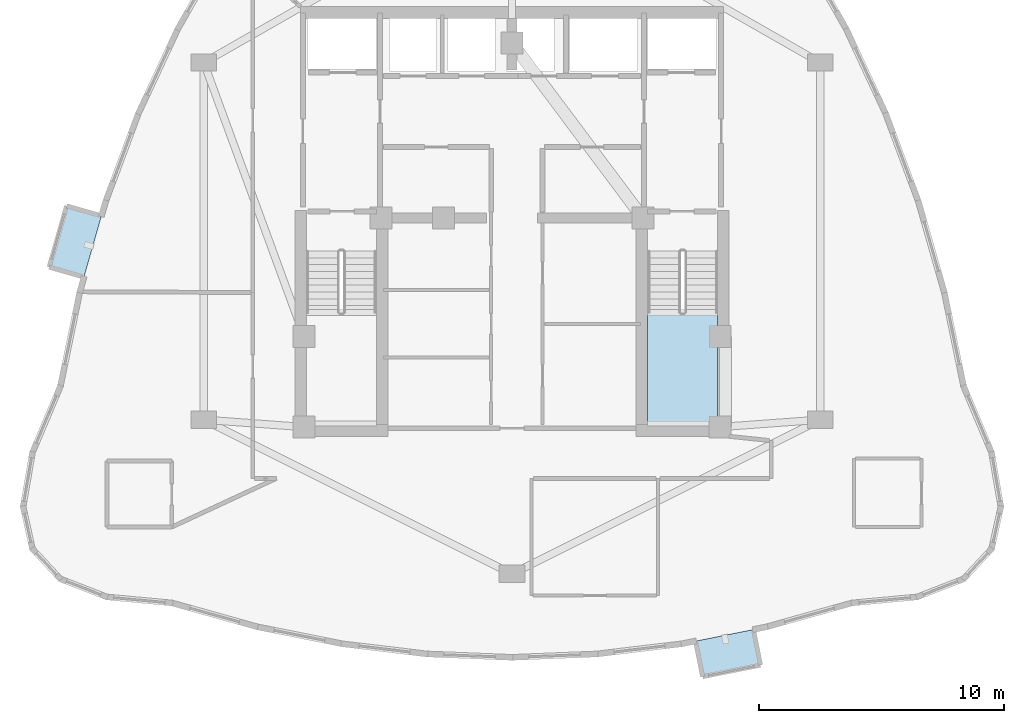
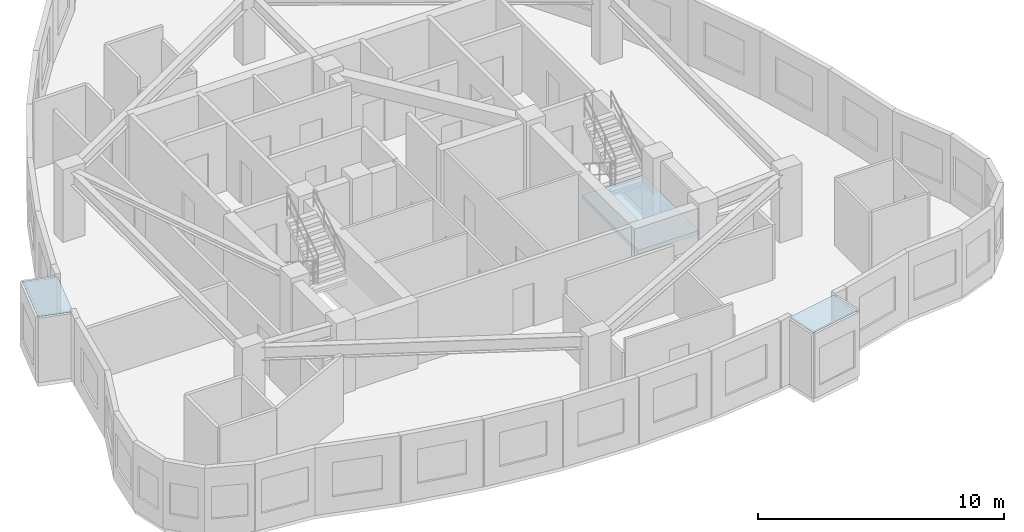
# One storey, part 3 of 10: 2 plates, 1 slab, 1 element without a shape of its own.
"""IFC4 building model written with IfcOpenShell, lengths in metres."""

import ifcopenshell
import ifcopenshell.guid

model = None  # the IFC model being written
_history = None  # IfcOwnerHistory: only IFC2X3 demands one
_inside = {}  # id of a spatial element -> (the spatial element, [elements in it])
_under = {}  # id of a project, library or spatial element -> (it, [spatial elements below it])
_declared = {}  # id of a project -> (the project, [libraries it declares])
_typed = {}  # id of a type object -> (the type object, [elements of that type])
_made_of = {}  # id of a material, layer set ... -> (it, [elements and type objects made of it])


def new_model(schema):
    """Start an empty IFC model of exactly this schema.

    Asked for "IFC4X3", IfcOpenShell would pick the latest addendum, in which some entities
    have other attributes; the version numbers below select the first issue.
    IFC2X3 requires an IfcOwnerHistory on every rooted entity: one is made here for all.
    """
    global model, _history
    if schema == "IFC4X3":
        model = ifcopenshell.file(schema_version=(4, 3, 0, 0))
    else:
        model = ifcopenshell.file(schema=schema)
    _inside.clear()
    _under.clear()
    _declared.clear()
    _typed.clear()
    _made_of.clear()
    _history = None
    if model.schema == "IFC2X3":
        org = make("IfcOrganization", Name="unknown")
        user = make(
            "IfcPersonAndOrganization",
            ThePerson=make("IfcPerson", FamilyName="unknown"),
            TheOrganization=org,
        )
        app = make(
            "IfcApplication",
            ApplicationDeveloper=org,
            Version="unknown",
            ApplicationFullName="unknown",
            ApplicationIdentifier="unknown",
        )
        _history = make(
            "IfcOwnerHistory",
            OwningUser=user,
            OwningApplication=app,
            ChangeAction="ADDED",
            CreationDate=0,
        )
    return model


def make(cls, **values):
    """One entity of the class cls with the attributes given. An attribute that is None is left unset."""
    return model.create_entity(
        cls, **{name: value for name, value in values.items() if value is not None}
    )


def rooted(cls, **values):
    """An entity with a GlobalId (a new one), such as an element, a storey or a relation."""
    return make(cls, GlobalId=ifcopenshell.guid.new(), OwnerHistory=_history, **values)


def si_unit(unit_type, name, prefix=None):
    """IfcSIUnit, for example si_unit("LENGTHUNIT", "METRE", prefix="MILLI")."""
    return make("IfcSIUnit", UnitType=unit_type, Prefix=prefix, Name=name)


def assignment(units):
    """IfcUnitAssignment: the units of a project."""
    return None if units is None else make("IfcUnitAssignment", Units=units)


def point(xyz):
    """IfcCartesianPoint."""
    return None if xyz is None else make("IfcCartesianPoint", Coordinates=xyz)


def direction(xyz):
    """IfcDirection."""
    return None if xyz is None else make("IfcDirection", DirectionRatios=xyz)


def frame(location, z_axis=None, x_axis=None):
    """IfcAxis2Placement3D, a coordinate frame: its origin and axes. An axis left out is left unset."""
    return make(
        "IfcAxis2Placement3D",
        Location=point(location),
        Axis=direction(z_axis),
        RefDirection=direction(x_axis),
    )


def origin():
    """The frame at (0, 0, 0) with its axes left unset."""
    return frame((0.0, 0.0, 0.0))


def place(relative_to, where):
    """IfcLocalPlacement: puts the frame where relative to a parent placement (None: the world)."""
    return make(
        "IfcLocalPlacement", PlacementRelTo=relative_to, RelativePlacement=where
    )


def context(
    kind, dimensions, precision=None, world=None, true_north=None, identifier=None
):
    """IfcGeometricRepresentationContext, for example the 3D "Model" context."""
    return make(
        "IfcGeometricRepresentationContext",
        ContextIdentifier=identifier,
        ContextType=kind,
        CoordinateSpaceDimension=dimensions,
        Precision=precision,
        WorldCoordinateSystem=world,
        TrueNorth=true_north,
    )


def subcontext(parent, identifier, kind, view, scale=None):
    """IfcGeometricRepresentationSubContext, for example "Body" below "Model"."""
    return make(
        "IfcGeometricRepresentationSubContext",
        ContextIdentifier=identifier,
        ContextType=kind,
        ParentContext=parent,
        TargetScale=scale,
        TargetView=view,
    )


def project(units=None, contexts=None):
    """IfcProject with its units and contexts."""
    return rooted(
        "IfcProject",
        Name="project",
        RepresentationContexts=contexts,
        UnitsInContext=assignment(units),
    )


def spatial(cls, under=None, at=None, **own):
    """A site, building, storey or space (cls), placed at a placement, below another one or the project."""
    s = rooted(cls, ObjectPlacement=at, **own)
    if under is not None:
        _under.setdefault(under.id(), (under, []))[1].append(s)
    return s


def polyline(points):
    """IfcPolyline through the points."""
    return make("IfcPolyline", Points=[point(p) for p in points])


def outline(outer, holes=None, kind="AREA"):
    """IfcArbitraryClosedProfileDef: a profile drawn as a closed curve; with holes, ...WithVoids."""
    if holes is None:
        return make("IfcArbitraryClosedProfileDef", ProfileType=kind, OuterCurve=outer)
    return make(
        "IfcArbitraryProfileDefWithVoids",
        ProfileType=kind,
        OuterCurve=outer,
        InnerCurves=holes,
    )


def extrude(swept, where, along, depth):
    """IfcExtrudedAreaSolid: the profile swept, set in the frame where, extruded along a direction by depth."""
    return make(
        "IfcExtrudedAreaSolid",
        SweptArea=swept,
        Position=where,
        ExtrudedDirection=direction(along),
        Depth=depth,
    )


def shape(context_of_items, identifier, shape_type, items):
    """IfcShapeRepresentation: the items that make up one representation, for example the "Body"."""
    return make(
        "IfcShapeRepresentation",
        ContextOfItems=context_of_items,
        RepresentationIdentifier=identifier,
        RepresentationType=shape_type,
        Items=items,
    )


def material(Name=None, Category=None):
    """IfcMaterial."""
    return make("IfcMaterial", Name=Name, Category=Category)


def layer(
    of_material, thickness, ventilated=None, Name=None, Category=None, Priority=None
):
    """IfcMaterialLayer: one layer of a wall or slab, of a material (None: an air gap)."""
    return make(
        "IfcMaterialLayer",
        Material=of_material,
        LayerThickness=thickness,
        IsVentilated=ventilated,
        Name=Name,
        Category=Category,
        Priority=Priority,
    )


def layer_set(layers, Name=None):
    """IfcMaterialLayerSet."""
    return make("IfcMaterialLayerSet", MaterialLayers=layers, LayerSetName=Name)


def made_of(thing, what):
    """Note that an element or type object is made of a material, layer set ...; save() writes the relation."""
    if what is not None:
        _made_of.setdefault(what.id(), (what, []))[1].append(thing)
    return thing


def type_object(cls, material=None, **own):
    """A type object (cls), such as IfcWallType, which elements share."""
    return made_of(rooted(cls, **own), material)


def element(
    cls,
    number,
    at=None,
    inside=None,
    cuts=None,
    type_object=None,
    material=None,
    context=None,
    identifier="Body",
    shape_type=None,
    held_by="IfcProductDefinitionShape",
    body=None,
    shapes=None,
    **own,
):
    """One element of the class cls, such as IfcWall. Its Tag is "e" and its number.

    at: its placement. inside: the storey or other place that contains it. cuts: it is an
    opening in that element (IfcRelVoidsElement). A single representation is given by context,
    identifier, shape_type and body (its items); several are given by shapes. held_by: the class
    of the entity that holds the representations. save() writes the other relations.
    """
    e = rooted(cls, Tag="e%d" % number, ObjectPlacement=at, **own)
    if body is not None:
        shapes = [shape(context, identifier, shape_type, body)]
    if shapes is not None:
        e.Representation = make(held_by, Representations=shapes)
    if inside is not None:
        _inside.setdefault(inside.id(), (inside, []))[1].append(e)
    if cuts is not None:
        rooted(
            "IfcRelVoidsElement", RelatingBuildingElement=cuts, RelatedOpeningElement=e
        )
    if type_object is not None:
        _typed.setdefault(type_object.id(), (type_object, []))[1].append(e)
    return made_of(e, material)


def aggregate(whole, parts):
    """IfcRelAggregates: a whole, such as a stair, and the parts it consists of."""
    return rooted("IfcRelAggregates", RelatingObject=whole, RelatedObjects=parts)


def save(model, path):
    """Write the relations noted so far, then the file.

    IfcRelAggregates (storeys below a building ...), IfcRelContainedInSpatialStructure (elements
    in a storey), IfcRelDefinesByType, IfcRelAssociatesMaterial and IfcRelDeclares: one each for
    every whole, place, type object, material and project.
    """
    for whole, parts in _under.values():
        aggregate(whole, parts)
    for where, things in _inside.values():
        rooted(
            "IfcRelContainedInSpatialStructure",
            RelatedElements=things,
            RelatingStructure=where,
        )
    for kind, things in _typed.values():
        rooted("IfcRelDefinesByType", RelatedObjects=things, RelatingType=kind)
    for what, things in _made_of.values():
        rooted("IfcRelAssociatesMaterial", RelatedObjects=things, RelatingMaterial=what)
    for by, libraries in _declared.values():
        rooted("IfcRelDeclares", RelatingContext=by, RelatedDefinitions=libraries)
    model.write(path)


model = new_model("IFC4")

# Units and contexts
model_context = context("Model", 3, precision=1e-05, world=origin(), true_north=direction((0.0, 1.0)))
body_context = subcontext(model_context, "Body", "Model", "MODEL_VIEW")
ifc_project = project(units=[si_unit("LENGTHUNIT", "METRE"), si_unit("AREAUNIT", "SQUARE_METRE"), si_unit("VOLUMEUNIT", "CUBIC_METRE"), si_unit("PLANEANGLEUNIT", "RADIAN"), si_unit("MASSUNIT", "GRAM", prefix="KILO")], contexts=[model_context])

# Site, building, storey
site_placement = place(None, origin())
site = spatial("IfcSite", under=ifc_project, at=site_placement, CompositionType="ELEMENT")
building_placement = place(site_placement, origin())
building = spatial("IfcBuilding", under=site, at=building_placement, Name="Miruveldt Soraemaru", CompositionType="ELEMENT")
storey_placement = place(building_placement, frame((0.0, 0.0, 226.800048828125)))
storey = spatial("IfcBuildingStorey", under=building, at=storey_placement, Name="L62", CompositionType="ELEMENT", Elevation=226.800048828125)

# Plates
ifc_material_1 = material(Name="Standing-seam titanium-zinc sheet", Category="aluminium")
ifc_layer_1 = layer(ifc_material_1, 0.011962890625, Name="Standing-seam titanium-zinc sheet", Category="aluminium")
ifc_layer_set_1 = layer_set([ifc_layer_1], Name="Standing-seam titanium-zinc sheet")
plate_type = type_object("IfcPlateType", Name="PLT-ZINC-12", PredefinedType="SHEET", material=ifc_layer_set_1)
plate_1_placement = place(storey_placement, frame((0.0, 0.0, 3.195068359375)))
element("IfcPlate", 1, at=plate_1_placement, inside=storey, type_object=plate_type, Name="L62 Bay Window Zinc Hood Sheet 1", PredefinedType="SHEET", context=body_context, shape_type="SweptSolid", body=[
    extrude(outline(polyline([(27.21484375, 44.131591796875), (26.499755859375, 41.6318359375), (25.076904296875, 42.038818359375), (25.7919921875, 44.53857421875), (27.21484375, 44.131591796875)])), origin(), (0.0, 0.0, 1.0), 0.011962890625),
])
plate_2_placement = place(storey_placement, frame((0.0, 0.0, 3.195068359375)))
element("IfcPlate", 2, at=plate_2_placement, inside=storey, type_object=plate_type, Name="L62 Bay Window Zinc Hood Sheet 2", PredefinedType="SHEET", context=body_context, shape_type="SweptSolid", body=[
    extrude(outline(polyline([(51.505859375, 26.747314453125), (53.869140625, 27.2197265625), (54.159423828125, 25.7685546875), (51.796142578125, 25.2958984375), (51.505859375, 26.747314453125)])), origin(), (0.0, 0.0, 1.0), 0.011962890625),
])

# Stair, slab
ifc_material_2 = material(Name="Concrete C40/50 (40 MPa)", Category="concrete")
stair_type = type_object("IfcStairType", Name="STAIR-DL-360", PredefinedType="HALF_TURN_STAIR", material=ifc_material_2)
stair_placement = place(storey_placement, origin())
stair = element("IfcStair", 3, at=stair_placement, inside=storey, type_object=stair_type, Name="L62 Protected Exit Stair ST-2", PredefinedType="HALF_TURN_STAIR")
ifc_layer_2 = layer(ifc_material_2, 0.199951171875, Name="Concrete C40/50 (40 MPa)", Category="concrete")
ifc_layer_set_2 = layer_set([ifc_layer_2], Name="Concrete C40/50 (40 MPa)")
slab_type = type_object("IfcSlabType", Name="SLAB-LAND-200", PredefinedType="LANDING", material=ifc_layer_set_2)
slab_placement = place(storey_placement, frame((0.0, 0.0, 1.599853515625)))
slab = element("IfcSlab", 4, at=slab_placement, type_object=slab_type, Name="ST-2 landing 1", PredefinedType="LANDING", context=body_context, shape_type="SweptSolid", body=[
    extrude(outline(polyline([(49.550048828125, 40.197998046875), (49.550048828125, 35.64990234375), (52.39990234375, 35.64990234375), (52.39990234375, 40.197998046875), (49.550048828125, 40.197998046875)])), origin(), (0.0, 0.0, 1.0), 0.2001953125),
])
aggregate(stair, [slab])

save(model, "model.ifc")
